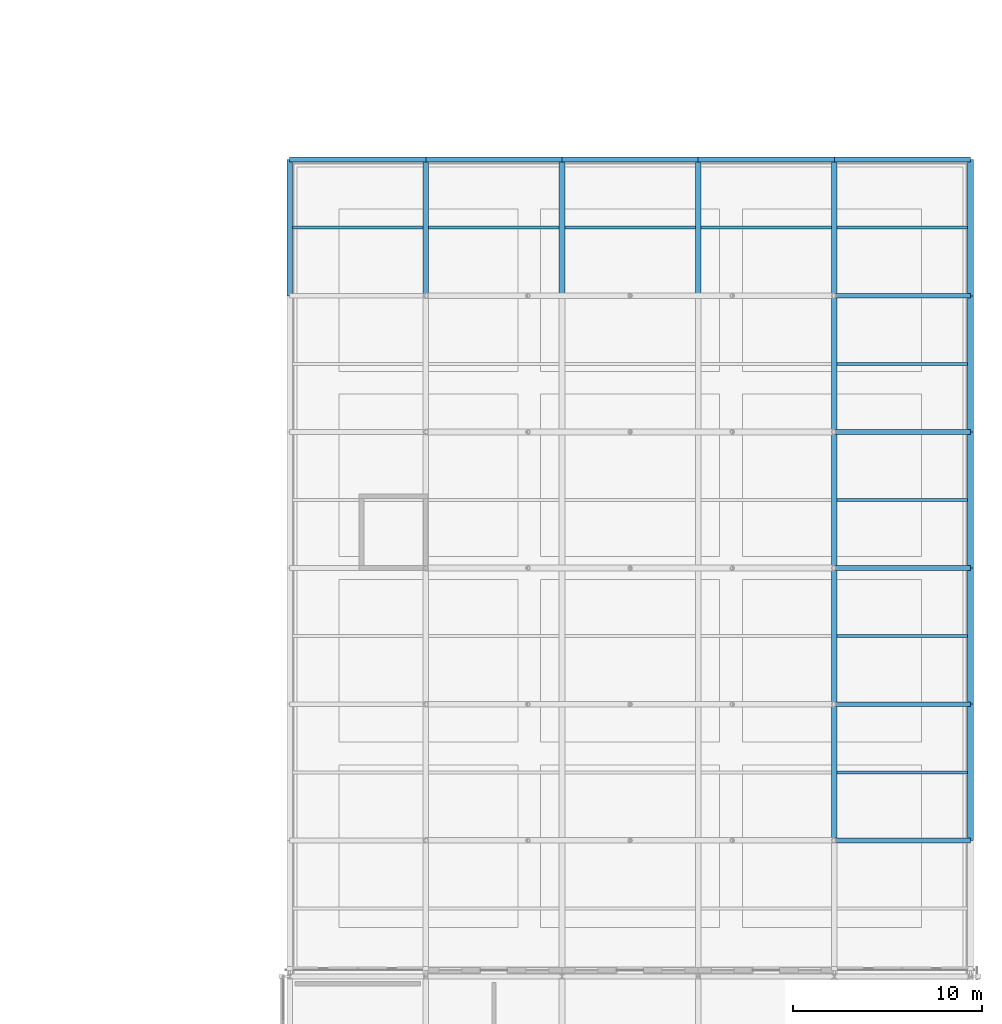
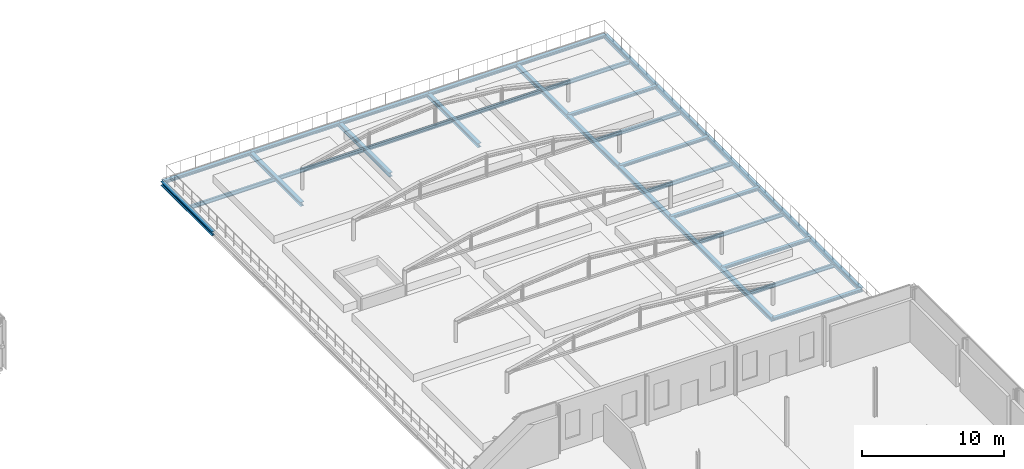
# One storey, part 68 of 126: 33 beams.
"""IFC4 building model written with IfcOpenShell, lengths in metres."""

from ifc_helpers import new_model, si_unit, direction, frame, origin, origin_2d, place, context, subcontext, project, spatial, i_section, extrude, material, material_profile, profile_set, type_object, element, save


model = new_model("IFC4")

# Units and contexts
model_context = context("Model", 3, precision=1e-05, world=origin(), true_north=direction((0.0, 1.0)))
body_context = subcontext(model_context, "Body", "Model", "MODEL_VIEW")
ifc_project = project(units=[si_unit("LENGTHUNIT", "METRE"), si_unit("AREAUNIT", "SQUARE_METRE"), si_unit("VOLUMEUNIT", "CUBIC_METRE"), si_unit("PLANEANGLEUNIT", "RADIAN"), si_unit("MASSUNIT", "GRAM", prefix="KILO")], contexts=[model_context])

# Site, building, storey
site_placement = place(None, origin())
site = spatial("IfcSite", under=ifc_project, at=site_placement, CompositionType="ELEMENT")
building_placement = place(site_placement, origin())
building = spatial("IfcBuilding", under=site, at=building_placement, Name="Zlatovets Crest Museum", CompositionType="ELEMENT")
storey_placement = place(building_placement, frame((0.0, 0.0, 8.699951171875)))
storey = spatial("IfcBuildingStorey", under=building, at=storey_placement, Name="L02", CompositionType="ELEMENT", Elevation=8.699951171875)

# Beams
ifc_material = material(Name="Structural steel S355J2", Category="steel")
ifc_material_profile_1 = material_profile(ifc_material, i_section(OverallWidth=0.300048828125, OverallDepth=0.35009765625, WebThickness=0.010009765625, FlangeThickness=0.017578125, FilletRadius=0.027099609375, at=origin_2d()), Name="HEA 360")
ifc_profile_set_1 = profile_set([ifc_material_profile_1], Name="Structural steel S355J2")
beam_type_1 = type_object("IfcBeamType", Name="Beam_B-03", PredefinedType="BEAM", material=ifc_profile_set_1)
for number, where, z_axis, x_axis, name in (
    (1, (129.60009765625, 93.60009765625, -0.39501953125), (0.0, 1.0, 0.0), (-1.0, 0.0, 0.0), "V5 L02 Grid Beam B-03"),
    (2, (136.800048828125, 93.60009765625, -0.39501953125), (0.0, 1.0, 0.0), (-1.0, 0.0, 0.0), "V5 L02 Grid Beam B-03"),
    (3, (144.0, 93.60009765625, -0.39501953125), (0.0, 1.0, 0.0), (-1.0, 0.0, 0.0), "V5 L02 Grid Beam B-03"),
    (4, (151.199951171875, 93.60009765625, -0.39501953125), (0.0, 1.0, 0.0), (-1.0, 0.0, 0.0), "V5 L02 Grid Beam B-03"),
    (5, (158.39990234375, 64.800048828125, -0.39501953125), (0.0, 1.0, 0.0), (-1.0, 0.0, 0.0), "V5 L02 Grid Beam B-03"),
    (6, (158.39990234375, 72.0, -0.39501953125), (0.0, 1.0, 0.0), (-1.0, 0.0, 0.0), "V5 L02 Grid Beam B-03"),
    (7, (158.39990234375, 79.199951171875, -0.39501953125), (0.0, 1.0, 0.0), (-1.0, 0.0, 0.0), "V5 L02 Grid Beam B-03"),
):
    element("IfcBeam", number, at=place(storey_placement, frame(where, z_axis=z_axis, x_axis=x_axis)), inside=storey, type_object=beam_type_1, Name=name, PredefinedType="BEAM", context=body_context, shape_type="SweptSolid", body=[
        extrude(i_section(OverallWidth=0.300048828125, OverallDepth=0.35009765625, WebThickness=0.010009765625, FlangeThickness=0.017578125, FilletRadius=0.027099609375, at=origin_2d()), origin(), (0.0, 0.0, 1.0), 7.199951171875),
    ])
beam_1_placement = place(storey_placement, frame((158.39990234375, 86.39990234375, -0.39501953125), z_axis=(0.0, 1.0, 0.0), x_axis=(-1.0, 0.0, 0.0)))
element("IfcBeam", 8, at=beam_1_placement, inside=storey, type_object=beam_type_1, Name="V5 L02 Grid Beam B-03", PredefinedType="BEAM", context=body_context, shape_type="SweptSolid", body=[
    extrude(i_section(OverallWidth=0.300048828125, OverallDepth=0.35009765625, WebThickness=0.010009765625, FlangeThickness=0.017578125, FilletRadius=0.027099609375, at=origin_2d()), origin(), (0.0, 0.0, 1.0), 7.2001953125),
])
for number, where, z_axis, x_axis, name in (
    (9, (158.39990234375, 93.60009765625, -0.39501953125), (0.0, 1.0, 0.0), (-1.0, 0.0, 0.0), "V5 L02 Grid Beam B-03"),
    (10, (165.60009765625, 64.800048828125, -0.39501953125), (0.0, 1.0, 0.0), (-1.0, 0.0, 0.0), "V5 L02 Grid Beam B-03"),
    (11, (165.60009765625, 72.0, -0.39501953125), (0.0, 1.0, 0.0), (-1.0, 0.0, 0.0), "V5 L02 Grid Beam B-03"),
    (12, (165.60009765625, 79.199951171875, -0.39501953125), (0.0, 1.0, 0.0), (-1.0, 0.0, 0.0), "V5 L02 Grid Beam B-03"),
):
    element("IfcBeam", number, at=place(storey_placement, frame(where, z_axis=z_axis, x_axis=x_axis)), inside=storey, type_object=beam_type_1, Name=name, PredefinedType="BEAM", context=body_context, shape_type="SweptSolid", body=[
        extrude(i_section(OverallWidth=0.300048828125, OverallDepth=0.35009765625, WebThickness=0.010009765625, FlangeThickness=0.017578125, FilletRadius=0.027099609375, at=origin_2d()), origin(), (0.0, 0.0, 1.0), 7.199951171875),
    ])
beam_2_placement = place(storey_placement, frame((165.60009765625, 86.39990234375, -0.39501953125), z_axis=(0.0, 1.0, 0.0), x_axis=(-1.0, 0.0, 0.0)))
element("IfcBeam", 13, at=beam_2_placement, inside=storey, type_object=beam_type_1, Name="V5 L02 Grid Beam B-03", PredefinedType="BEAM", context=body_context, shape_type="SweptSolid", body=[
    extrude(i_section(OverallWidth=0.300048828125, OverallDepth=0.35009765625, WebThickness=0.010009765625, FlangeThickness=0.017578125, FilletRadius=0.027099609375, at=origin_2d()), origin(), (0.0, 0.0, 1.0), 7.2001953125),
])
beam_3_placement = place(storey_placement, frame((165.60009765625, 93.60009765625, -0.39501953125), z_axis=(0.0, 1.0, 0.0), x_axis=(-1.0, 0.0, 0.0)))
element("IfcBeam", 14, at=beam_3_placement, inside=storey, type_object=beam_type_1, Name="V5 L02 Grid Beam B-03", PredefinedType="BEAM", context=body_context, shape_type="SweptSolid", body=[
    extrude(i_section(OverallWidth=0.300048828125, OverallDepth=0.35009765625, WebThickness=0.010009765625, FlangeThickness=0.017578125, FilletRadius=0.027099609375, at=origin_2d()), origin(), (0.0, 0.0, 1.0), 7.199951171875),
])
ifc_material_profile_2 = material_profile(ifc_material, i_section(OverallWidth=0.260009765625, OverallDepth=0.25, WebThickness=0.007568359375, FlangeThickness=0.012451171875, FilletRadius=0.02392578125, at=origin_2d()), Name="HEA 260")
ifc_profile_set_2 = profile_set([ifc_material_profile_2], Name="Structural steel S355J2")
beam_type_2 = type_object("IfcBeamType", Name="Beam_B-13", PredefinedType="BEAM", material=ifc_profile_set_2)
for number, where, z_axis, x_axis, name in (
    (15, (158.39990234375, 64.800048828125, -0.344970703125), (1.0, 0.0, 0.0), (0.0, 1.0, 0.0), "V5 L02 Primary Girder B-13"),
    (16, (158.39990234375, 72.0, -0.344970703125), (1.0, 0.0, 0.0), (0.0, 1.0, 0.0), "V5 L02 Primary Girder B-13"),
    (17, (158.39990234375, 79.199951171875, -0.344970703125), (1.0, 0.0, 0.0), (0.0, 1.0, 0.0), "V5 L02 Primary Girder B-13"),
    (18, (158.39990234375, 86.39990234375, -0.344970703125), (1.0, 0.0, 0.0), (0.0, 1.0, 0.0), "V5 L02 Primary Girder B-13"),
    (19, (158.39990234375, 93.60009765625, -0.344970703125), (1.0, 0.0, 0.0), (0.0, 1.0, 0.0), "V5 L02 Primary Girder B-13"),
):
    element("IfcBeam", number, at=place(storey_placement, frame(where, z_axis=z_axis, x_axis=x_axis)), inside=storey, type_object=beam_type_2, Name=name, PredefinedType="BEAM", context=body_context, shape_type="SweptSolid", body=[
        extrude(i_section(OverallWidth=0.260009765625, OverallDepth=0.25, WebThickness=0.007568359375, FlangeThickness=0.012451171875, FilletRadius=0.02392578125, at=origin_2d()), origin(), (0.0, 0.0, 1.0), 7.2001953125),
    ])
for number, where, z_axis, x_axis, name in (
    (20, (129.60009765625, 100.800048828125, -0.344970703125), (1.0, 0.0, 0.0), (0.0, 1.0, 0.0), "V5 L02 Primary Girder B-13"),
    (21, (136.800048828125, 100.800048828125, -0.344970703125), (1.0, 0.0, 0.0), (0.0, 1.0, 0.0), "V5 L02 Primary Girder B-13"),
    (22, (144.0, 100.800048828125, -0.344970703125), (1.0, 0.0, 0.0), (0.0, 1.0, 0.0), "V5 L02 Primary Girder B-13"),
    (23, (151.199951171875, 100.800048828125, -0.344970703125), (1.0, 0.0, 0.0), (0.0, 1.0, 0.0), "V5 L02 Primary Girder B-13"),
):
    element("IfcBeam", number, at=place(storey_placement, frame(where, z_axis=z_axis, x_axis=x_axis)), inside=storey, type_object=beam_type_2, Name=name, PredefinedType="BEAM", context=body_context, shape_type="SweptSolid", body=[
        extrude(i_section(OverallWidth=0.260009765625, OverallDepth=0.25, WebThickness=0.007568359375, FlangeThickness=0.012451171875, FilletRadius=0.02392578125, at=origin_2d()), origin(), (0.0, 0.0, 1.0), 7.199951171875),
    ])
beam_4_placement = place(storey_placement, frame((158.39990234375, 100.800048828125, -0.344970703125), z_axis=(1.0, 0.0, 0.0), x_axis=(0.0, 1.0, 0.0)))
element("IfcBeam", 24, at=beam_4_placement, inside=storey, type_object=beam_type_2, Name="V5 L02 Primary Girder B-13", PredefinedType="BEAM", context=body_context, shape_type="SweptSolid", body=[
    extrude(i_section(OverallWidth=0.260009765625, OverallDepth=0.25, WebThickness=0.007568359375, FlangeThickness=0.012451171875, FilletRadius=0.02392578125, at=origin_2d()), origin(), (0.0, 0.0, 1.0), 7.2001953125),
])
ifc_material_profile_3 = material_profile(ifc_material, i_section(OverallWidth=0.159912109375, OverallDepth=0.330078125, WebThickness=0.007568359375, FlangeThickness=0.011474609375, FilletRadius=0.01806640625, at=origin_2d()), Name="IPE 330")
ifc_profile_set_3 = profile_set([ifc_material_profile_3], Name="Structural steel S355J2")
beam_type_3 = type_object("IfcBeamType", Name="Beam_J-09", PredefinedType="JOIST", material=ifc_profile_set_3)
beam_5_placement = place(storey_placement, frame((129.75, 97.199951171875, -0.385009765625), z_axis=(1.0, 0.0, 0.0), x_axis=(0.0, 1.0, 0.0)))
element("IfcBeam", 25, at=beam_5_placement, inside=storey, type_object=beam_type_3, Name="V5 L02 Composite Joist J-09", PredefinedType="JOIST", context=body_context, shape_type="SweptSolid", body=[
    extrude(i_section(OverallWidth=0.159912109375, OverallDepth=0.330078125, WebThickness=0.007568359375, FlangeThickness=0.011474609375, FilletRadius=0.01806640625, at=origin_2d()), origin(), (0.0, 0.0, 1.0), 6.89990234375),
])
for number, where, z_axis, x_axis, name in (
    (26, (136.949951171875, 97.199951171875, -0.385009765625), (1.0, 0.0, 0.0), (0.0, 1.0, 0.0), "V5 L02 Composite Joist J-09"),
    (27, (144.14990234375, 97.199951171875, -0.385009765625), (1.0, 0.0, 0.0), (0.0, 1.0, 0.0), "V5 L02 Composite Joist J-09"),
):
    element("IfcBeam", number, at=place(storey_placement, frame(where, z_axis=z_axis, x_axis=x_axis)), inside=storey, type_object=beam_type_3, Name=name, PredefinedType="JOIST", context=body_context, shape_type="SweptSolid", body=[
        extrude(i_section(OverallWidth=0.159912109375, OverallDepth=0.330078125, WebThickness=0.007568359375, FlangeThickness=0.011474609375, FilletRadius=0.01806640625, at=origin_2d()), origin(), (0.0, 0.0, 1.0), 6.900146484375),
    ])
for number, where, z_axis, x_axis, name in (
    (28, (151.35009765625, 97.199951171875, -0.385009765625), (1.0, 0.0, 0.0), (0.0, 1.0, 0.0), "V5 L02 Composite Joist J-09"),
    (29, (158.550048828125, 68.39990234375, -0.385009765625), (1.0, 0.0, 0.0), (0.0, 1.0, 0.0), "V5 L02 Composite Joist J-09"),
    (30, (158.550048828125, 75.60009765625, -0.385009765625), (1.0, 0.0, 0.0), (0.0, 1.0, 0.0), "V5 L02 Composite Joist J-09"),
    (31, (158.550048828125, 82.800048828125, -0.385009765625), (1.0, 0.0, 0.0), (0.0, 1.0, 0.0), "V5 L02 Composite Joist J-09"),
    (32, (158.550048828125, 90.0, -0.385009765625), (1.0, 0.0, 0.0), (0.0, 1.0, 0.0), "V5 L02 Composite Joist J-09"),
    (33, (158.550048828125, 97.199951171875, -0.385009765625), (1.0, 0.0, 0.0), (0.0, 1.0, 0.0), "V5 L02 Composite Joist J-09"),
):
    element("IfcBeam", number, at=place(storey_placement, frame(where, z_axis=z_axis, x_axis=x_axis)), inside=storey, type_object=beam_type_3, Name=name, PredefinedType="JOIST", context=body_context, shape_type="SweptSolid", body=[
        extrude(i_section(OverallWidth=0.159912109375, OverallDepth=0.330078125, WebThickness=0.007568359375, FlangeThickness=0.011474609375, FilletRadius=0.01806640625, at=origin_2d()), origin(), (0.0, 0.0, 1.0), 6.89990234375),
    ])

save(model, "model.ifc")
